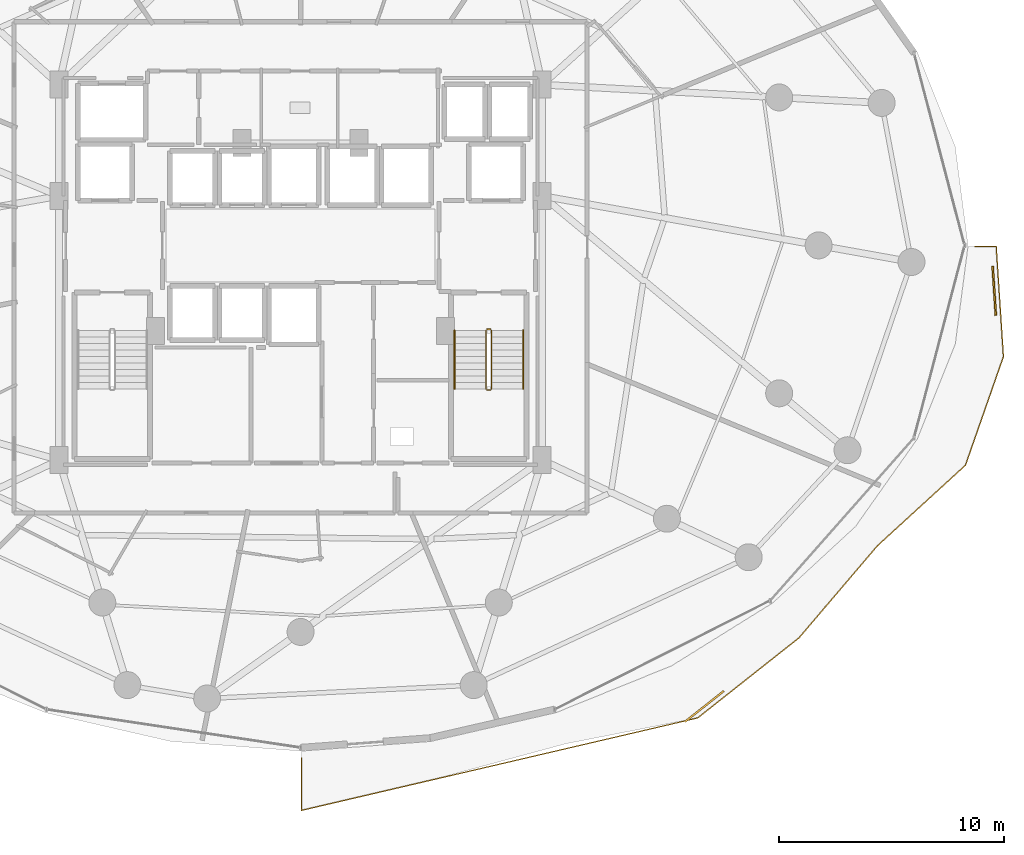
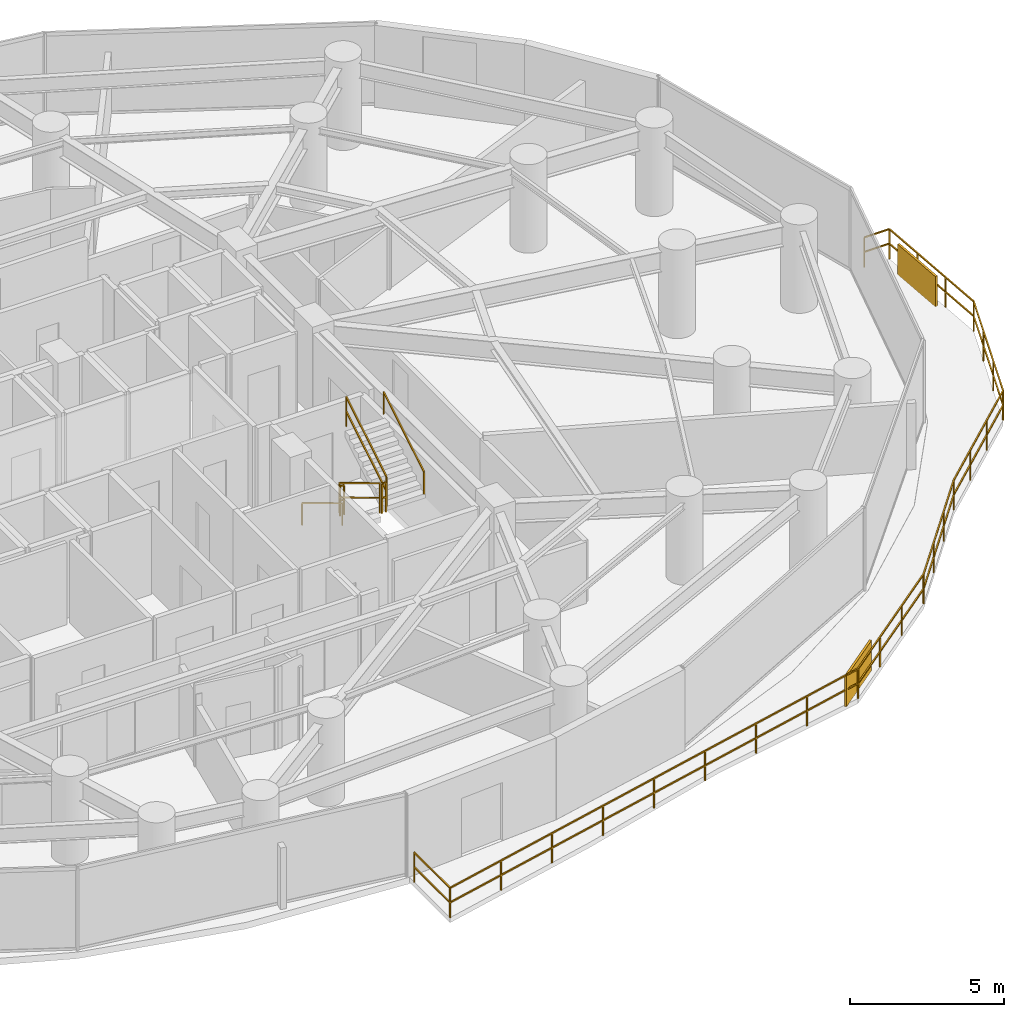
# One storey, part 33 of 35: 8 railings, 2 shading devices.
"""IFC4 building model written with IfcOpenShell, lengths in metres."""

import ifcopenshell
import ifcopenshell.guid

model = None  # the IFC model being written
_history = None  # IfcOwnerHistory: only IFC2X3 demands one
_inside = {}  # id of a spatial element -> (the spatial element, [elements in it])
_under = {}  # id of a project, library or spatial element -> (it, [spatial elements below it])
_declared = {}  # id of a project -> (the project, [libraries it declares])
_typed = {}  # id of a type object -> (the type object, [elements of that type])
_made_of = {}  # id of a material, layer set ... -> (it, [elements and type objects made of it])


def new_model(schema):
    """Start an empty IFC model of exactly this schema.

    Asked for "IFC4X3", IfcOpenShell would pick the latest addendum, in which some entities
    have other attributes; the version numbers below select the first issue.
    IFC2X3 requires an IfcOwnerHistory on every rooted entity: one is made here for all.
    """
    global model, _history
    if schema == "IFC4X3":
        model = ifcopenshell.file(schema_version=(4, 3, 0, 0))
    else:
        model = ifcopenshell.file(schema=schema)
    _inside.clear()
    _under.clear()
    _declared.clear()
    _typed.clear()
    _made_of.clear()
    _history = None
    if model.schema == "IFC2X3":
        org = make("IfcOrganization", Name="unknown")
        user = make(
            "IfcPersonAndOrganization",
            ThePerson=make("IfcPerson", FamilyName="unknown"),
            TheOrganization=org,
        )
        app = make(
            "IfcApplication",
            ApplicationDeveloper=org,
            Version="unknown",
            ApplicationFullName="unknown",
            ApplicationIdentifier="unknown",
        )
        _history = make(
            "IfcOwnerHistory",
            OwningUser=user,
            OwningApplication=app,
            ChangeAction="ADDED",
            CreationDate=0,
        )
    return model


def make(cls, **values):
    """One entity of the class cls with the attributes given. An attribute that is None is left unset."""
    return model.create_entity(
        cls, **{name: value for name, value in values.items() if value is not None}
    )


def rooted(cls, **values):
    """An entity with a GlobalId (a new one), such as an element, a storey or a relation."""
    return make(cls, GlobalId=ifcopenshell.guid.new(), OwnerHistory=_history, **values)


def si_unit(unit_type, name, prefix=None):
    """IfcSIUnit, for example si_unit("LENGTHUNIT", "METRE", prefix="MILLI")."""
    return make("IfcSIUnit", UnitType=unit_type, Prefix=prefix, Name=name)


def assignment(units):
    """IfcUnitAssignment: the units of a project."""
    return None if units is None else make("IfcUnitAssignment", Units=units)


def point(xyz):
    """IfcCartesianPoint."""
    return None if xyz is None else make("IfcCartesianPoint", Coordinates=xyz)


def direction(xyz):
    """IfcDirection."""
    return None if xyz is None else make("IfcDirection", DirectionRatios=xyz)


def frame(location, z_axis=None, x_axis=None):
    """IfcAxis2Placement3D, a coordinate frame: its origin and axes. An axis left out is left unset."""
    return make(
        "IfcAxis2Placement3D",
        Location=point(location),
        Axis=direction(z_axis),
        RefDirection=direction(x_axis),
    )


def frame_2d(location, x_axis=None):
    """IfcAxis2Placement2D, a coordinate frame in the plane: its origin and x axis."""
    return make(
        "IfcAxis2Placement2D", Location=point(location), RefDirection=direction(x_axis)
    )


def origin():
    """The frame at (0, 0, 0) with its axes left unset."""
    return frame((0.0, 0.0, 0.0))


def origin_2d():
    """The frame at (0, 0) in the plane with its x axis left unset."""
    return frame_2d((0.0, 0.0))


def place(relative_to, where):
    """IfcLocalPlacement: puts the frame where relative to a parent placement (None: the world)."""
    return make(
        "IfcLocalPlacement", PlacementRelTo=relative_to, RelativePlacement=where
    )


def context(
    kind, dimensions, precision=None, world=None, true_north=None, identifier=None
):
    """IfcGeometricRepresentationContext, for example the 3D "Model" context."""
    return make(
        "IfcGeometricRepresentationContext",
        ContextIdentifier=identifier,
        ContextType=kind,
        CoordinateSpaceDimension=dimensions,
        Precision=precision,
        WorldCoordinateSystem=world,
        TrueNorth=true_north,
    )


def subcontext(parent, identifier, kind, view, scale=None):
    """IfcGeometricRepresentationSubContext, for example "Body" below "Model"."""
    return make(
        "IfcGeometricRepresentationSubContext",
        ContextIdentifier=identifier,
        ContextType=kind,
        ParentContext=parent,
        TargetScale=scale,
        TargetView=view,
    )


def project(units=None, contexts=None):
    """IfcProject with its units and contexts."""
    return rooted(
        "IfcProject",
        Name="project",
        RepresentationContexts=contexts,
        UnitsInContext=assignment(units),
    )


def spatial(cls, under=None, at=None, **own):
    """A site, building, storey or space (cls), placed at a placement, below another one or the project."""
    s = rooted(cls, ObjectPlacement=at, **own)
    if under is not None:
        _under.setdefault(under.id(), (under, []))[1].append(s)
    return s


def profile(cls, at=None, kind="AREA", **sizes):
    """A parametric profile (cls). Its sizes go by their IFC names, for example OverallWidth=200.0."""
    return make(cls, ProfileType=kind, Position=at, **sizes)


def rectangle(**sizes):
    """IfcRectangleProfileDef."""
    return profile("IfcRectangleProfileDef", **sizes)


def extrude(swept, where, along, depth):
    """IfcExtrudedAreaSolid: the profile swept, set in the frame where, extruded along a direction by depth."""
    return make(
        "IfcExtrudedAreaSolid",
        SweptArea=swept,
        Position=where,
        ExtrudedDirection=direction(along),
        Depth=depth,
    )


def shape(context_of_items, identifier, shape_type, items):
    """IfcShapeRepresentation: the items that make up one representation, for example the "Body"."""
    return make(
        "IfcShapeRepresentation",
        ContextOfItems=context_of_items,
        RepresentationIdentifier=identifier,
        RepresentationType=shape_type,
        Items=items,
    )


def material(Name=None, Category=None):
    """IfcMaterial."""
    return make("IfcMaterial", Name=Name, Category=Category)


def made_of(thing, what):
    """Note that an element or type object is made of a material, layer set ...; save() writes the relation."""
    if what is not None:
        _made_of.setdefault(what.id(), (what, []))[1].append(thing)
    return thing


def type_object(cls, material=None, **own):
    """A type object (cls), such as IfcWallType, which elements share."""
    return made_of(rooted(cls, **own), material)


def element(
    cls,
    number,
    at=None,
    inside=None,
    cuts=None,
    type_object=None,
    material=None,
    context=None,
    identifier="Body",
    shape_type=None,
    held_by="IfcProductDefinitionShape",
    body=None,
    shapes=None,
    **own,
):
    """One element of the class cls, such as IfcWall. Its Tag is "e" and its number.

    at: its placement. inside: the storey or other place that contains it. cuts: it is an
    opening in that element (IfcRelVoidsElement). A single representation is given by context,
    identifier, shape_type and body (its items); several are given by shapes. held_by: the class
    of the entity that holds the representations. save() writes the other relations.
    """
    e = rooted(cls, Tag="e%d" % number, ObjectPlacement=at, **own)
    if body is not None:
        shapes = [shape(context, identifier, shape_type, body)]
    if shapes is not None:
        e.Representation = make(held_by, Representations=shapes)
    if inside is not None:
        _inside.setdefault(inside.id(), (inside, []))[1].append(e)
    if cuts is not None:
        rooted(
            "IfcRelVoidsElement", RelatingBuildingElement=cuts, RelatedOpeningElement=e
        )
    if type_object is not None:
        _typed.setdefault(type_object.id(), (type_object, []))[1].append(e)
    return made_of(e, material)


def aggregate(whole, parts):
    """IfcRelAggregates: a whole, such as a stair, and the parts it consists of."""
    return rooted("IfcRelAggregates", RelatingObject=whole, RelatedObjects=parts)


def save(model, path):
    """Write the relations noted so far, then the file.

    IfcRelAggregates (storeys below a building ...), IfcRelContainedInSpatialStructure (elements
    in a storey), IfcRelDefinesByType, IfcRelAssociatesMaterial and IfcRelDeclares: one each for
    every whole, place, type object, material and project.
    """
    for whole, parts in _under.values():
        aggregate(whole, parts)
    for where, things in _inside.values():
        rooted(
            "IfcRelContainedInSpatialStructure",
            RelatedElements=things,
            RelatingStructure=where,
        )
    for kind, things in _typed.values():
        rooted("IfcRelDefinesByType", RelatedObjects=things, RelatingType=kind)
    for what, things in _made_of.values():
        rooted("IfcRelAssociatesMaterial", RelatedObjects=things, RelatingMaterial=what)
    for by, libraries in _declared.values():
        rooted("IfcRelDeclares", RelatingContext=by, RelatedDefinitions=libraries)
    model.write(path)


model = new_model("IFC4")

# Units and contexts
model_context = context("Model", 3, precision=1e-05, world=origin(), true_north=direction((0.0, 1.0)))
body_context = subcontext(model_context, "Body", "Model", "MODEL_VIEW")
ifc_project = project(units=[si_unit("LENGTHUNIT", "METRE"), si_unit("AREAUNIT", "SQUARE_METRE"), si_unit("VOLUMEUNIT", "CUBIC_METRE"), si_unit("PLANEANGLEUNIT", "RADIAN"), si_unit("MASSUNIT", "GRAM", prefix="KILO")], contexts=[model_context])

# Site, building, storey
site_placement = place(None, origin())
site = spatial("IfcSite", under=ifc_project, at=site_placement, CompositionType="ELEMENT")
building_placement = place(site_placement, origin())
building = spatial("IfcBuilding", under=site, at=building_placement, Name="Vorneva Point Tower", CompositionType="ELEMENT")
storey_placement = place(building_placement, frame((0.0, 0.0, 48.5)))
storey = spatial("IfcBuildingStorey", under=building, at=storey_placement, Name="L12", CompositionType="ELEMENT", Elevation=48.5)

# Railings
ifc_material_1 = material(Name="Pale anodised aluminium", Category="aluminium")
railing_type_1 = type_object("IfcRailingType", Name="RL-BAL-1200", PredefinedType="BALUSTRADE", material=ifc_material_1)
railing_1_placement = place(storey_placement, frame((69.2744140625, 21.047119140625, 0.0)))
element("IfcRailing", 1, at=railing_1_placement, inside=storey, type_object=railing_type_1, Name="L12 Wave Balcony Balustrade SE.1", PredefinedType="BALUSTRADE", context=body_context, shape_type="SweptSolid", body=[
    extrude(rectangle(XDim=0.048095703125, YDim=0.048095703125, at=origin_2d()), frame((0.0, 0.0, 1.17578125), z_axis=(-0.065341588771, 0.997862954908, 0.0), x_axis=(-0.997862954908, -0.065341588771, 0.0)), (0.0, 0.0, 1.0), 4.913330078125),
    extrude(rectangle(XDim=0.048095703125, YDim=0.048095703125, at=origin_2d()), frame((0.0, 0.0, 0.60009765625), z_axis=(-0.065341588771, 0.997862954908, 0.0), x_axis=(-0.997862954908, -0.065341588771, 0.0)), (0.0, 0.0, 1.0), 4.913330078125),
    extrude(rectangle(XDim=0.048095703125, YDim=0.048095703125, at=origin_2d()), frame((-0.321044921875, 4.90283203125, 1.17578125), z_axis=(-1.0, 0.0, 0.0), x_axis=(0.0, -1.0, 0.0)), (0.0, 0.0, 1.0), 0.937255859375),
    extrude(rectangle(XDim=0.048095703125, YDim=0.048095703125, at=origin_2d()), frame((-0.321044921875, 4.90283203125, 0.60009765625), z_axis=(-1.0, 0.0, 0.0), x_axis=(0.0, -1.0, 0.0)), (0.0, 0.0, 1.0), 0.937255859375),
    extrude(rectangle(XDim=0.0419921875, YDim=0.0419921875, at=origin_2d()), origin(), (0.0, 0.0, 1.0), 1.15185546875),
    extrude(rectangle(XDim=0.0419921875, YDim=0.0419921875, at=origin_2d()), frame((-0.10693359375, 1.63427734375, 0.0)), (0.0, 0.0, 1.0), 1.15185546875),
    extrude(rectangle(XDim=0.0419921875, YDim=0.0419921875, at=origin_2d()), frame((-0.214111328125, 3.2685546875, 0.0)), (0.0, 0.0, 1.0), 1.15185546875),
    extrude(rectangle(XDim=0.0419921875, YDim=0.0419921875, at=origin_2d()), frame((-0.321044921875, 4.90283203125, 0.0)), (0.0, 0.0, 1.0), 1.15185546875),
    extrude(rectangle(XDim=0.0419921875, YDim=0.0419921875, at=origin_2d()), frame((-1.25830078125, 4.90283203125, 0.0)), (0.0, 0.0, 1.0), 1.15185546875),
])
railing_2_placement = place(storey_placement, frame((38.050048828125, 3.182861328125, 0.0)))
element("IfcRailing", 2, at=railing_2_placement, inside=storey, type_object=railing_type_1, Name="L12 Wave Balcony Balustrade SE.2", PredefinedType="BALUSTRADE", context=body_context, shape_type="SweptSolid", body=[
    extrude(rectangle(XDim=0.048095703125, YDim=0.048095703125, at=origin_2d()), frame((0.0, 0.0, 1.17578125), z_axis=(0.0, -1.0, 0.0), x_axis=(1.0, 0.0, 0.0)), (0.0, 0.0, 1.0), 2.321044921875),
    extrude(rectangle(XDim=0.048095703125, YDim=0.048095703125, at=origin_2d()), frame((0.0, 0.0, 0.60009765625), z_axis=(0.0, -1.0, 0.0), x_axis=(1.0, 0.0, 0.0)), (0.0, 0.0, 1.0), 2.321044921875),
    extrude(rectangle(XDim=0.048095703125, YDim=0.048095703125, at=origin_2d()), frame((0.0, -2.321044921875, 1.17578125), z_axis=(0.973826081871, 0.22729443959, 0.0), x_axis=(-0.22729443959, 0.973826081871, 0.0)), (0.0, 0.0, 1.0), 18.0966796875),
    extrude(rectangle(XDim=0.048095703125, YDim=0.048095703125, at=origin_2d()), frame((0.0, -2.321044921875, 0.60009765625), z_axis=(0.973826081871, 0.22729443959, 0.0), x_axis=(-0.22729443959, 0.973826081871, 0.0)), (0.0, 0.0, 1.0), 18.0966796875),
    extrude(rectangle(XDim=0.048095703125, YDim=0.048095703125, at=origin_2d()), frame((17.623046875, 1.792236328125, 1.17578125), z_axis=(0.784567085049, 0.620043941232, 0.0), x_axis=(-0.620043941232, 0.784567085049, 0.0)), (0.0, 0.0, 1.0), 5.742919921875),
    extrude(rectangle(XDim=0.048095703125, YDim=0.048095703125, at=origin_2d()), frame((17.623046875, 1.792236328125, 0.60009765625), z_axis=(0.784567085049, 0.620043941232, 0.0), x_axis=(-0.620043941232, 0.784567085049, 0.0)), (0.0, 0.0, 1.0), 5.742919921875),
    extrude(rectangle(XDim=0.048095703125, YDim=0.048095703125, at=origin_2d()), frame((22.128662109375, 5.35302734375, 1.17578125), z_axis=(0.648388648696, 0.761309503581, 0.0), x_axis=(-0.761309503581, 0.648388648696, 0.0)), (0.0, 0.0, 1.0), 5.387939453125),
    extrude(rectangle(XDim=0.048095703125, YDim=0.048095703125, at=origin_2d()), frame((22.128662109375, 5.35302734375, 0.60009765625), z_axis=(0.648388648696, 0.761309503581, 0.0), x_axis=(-0.761309503581, 0.648388648696, 0.0)), (0.0, 0.0, 1.0), 5.387939453125),
    extrude(rectangle(XDim=0.048095703125, YDim=0.048095703125, at=origin_2d()), frame((25.6220703125, 9.454833984375, 1.17578125), z_axis=(0.737832245033, 0.674984131806, 0.0), x_axis=(-0.674984131806, 0.737832245033, 0.0)), (0.0, 0.0, 1.0), 5.302490234375),
    extrude(rectangle(XDim=0.048095703125, YDim=0.048095703125, at=origin_2d()), frame((25.6220703125, 9.454833984375, 0.60009765625), z_axis=(0.737832245033, 0.674984131806, 0.0), x_axis=(-0.674984131806, 0.737832245033, 0.0)), (0.0, 0.0, 1.0), 5.302490234375),
    extrude(rectangle(XDim=0.048095703125, YDim=0.048095703125, at=origin_2d()), frame((29.534423828125, 13.033935546875, 1.17578125), z_axis=(0.330233543344, 0.943899256727, 0.0), x_axis=(-0.943899256727, 0.330233543344, 0.0)), (0.0, 0.0, 1.0), 5.117431640625),
    extrude(rectangle(XDim=0.048095703125, YDim=0.048095703125, at=origin_2d()), frame((29.534423828125, 13.033935546875, 0.60009765625), z_axis=(0.330233543344, 0.943899256727, 0.0), x_axis=(-0.943899256727, 0.330233543344, 0.0)), (0.0, 0.0, 1.0), 5.117431640625),
    extrude(rectangle(XDim=0.0419921875, YDim=0.0419921875, at=origin_2d()), origin(), (0.0, 0.0, 1.0), 1.15185546875),
    extrude(rectangle(XDim=0.0419921875, YDim=0.0419921875, at=origin_2d()), frame((0.0, -2.321044921875, 0.0)), (0.0, 0.0, 1.0), 1.15185546875),
    extrude(rectangle(XDim=0.0419921875, YDim=0.0419921875, at=origin_2d()), frame((2.202880859375, -1.806884765625, 0.0)), (0.0, 0.0, 1.0), 1.15185546875),
    extrude(rectangle(XDim=0.0419921875, YDim=0.0419921875, at=origin_2d()), frame((4.40576171875, -1.292724609375, 0.0)), (0.0, 0.0, 1.0), 1.15185546875),
    extrude(rectangle(XDim=0.0419921875, YDim=0.0419921875, at=origin_2d()), frame((6.608642578125, -0.778564453125, 0.0)), (0.0, 0.0, 1.0), 1.15185546875),
    extrude(rectangle(XDim=0.0419921875, YDim=0.0419921875, at=origin_2d()), frame((8.8115234375, -0.264404296875, 0.0)), (0.0, 0.0, 1.0), 1.15185546875),
    extrude(rectangle(XDim=0.0419921875, YDim=0.0419921875, at=origin_2d()), frame((11.014404296875, 0.249755859375, 0.0)), (0.0, 0.0, 1.0), 1.15185546875),
    extrude(rectangle(XDim=0.0419921875, YDim=0.0419921875, at=origin_2d()), frame((13.21728515625, 0.763916015625, 0.0)), (0.0, 0.0, 1.0), 1.15185546875),
    extrude(rectangle(XDim=0.0419921875, YDim=0.0419921875, at=origin_2d()), frame((15.420166015625, 1.278076171875, 0.0)), (0.0, 0.0, 1.0), 1.15185546875),
    extrude(rectangle(XDim=0.0419921875, YDim=0.0419921875, at=origin_2d()), frame((17.623046875, 1.792236328125, 0.0)), (0.0, 0.0, 1.0), 1.15185546875),
    extrude(rectangle(XDim=0.0419921875, YDim=0.0419921875, at=origin_2d()), frame((19.125, 2.979248046875, 0.0)), (0.0, 0.0, 1.0), 1.15185546875),
    extrude(rectangle(XDim=0.0419921875, YDim=0.0419921875, at=origin_2d()), frame((20.626708984375, 4.166015625, 0.0)), (0.0, 0.0, 1.0), 1.15185546875),
    extrude(rectangle(XDim=0.0419921875, YDim=0.0419921875, at=origin_2d()), frame((22.128662109375, 5.35302734375, 0.0)), (0.0, 0.0, 1.0), 1.15185546875),
    extrude(rectangle(XDim=0.0419921875, YDim=0.0419921875, at=origin_2d()), frame((23.293212890625, 6.72021484375, 0.0)), (0.0, 0.0, 1.0), 1.15185546875),
    extrude(rectangle(XDim=0.0419921875, YDim=0.0419921875, at=origin_2d()), frame((24.45751953125, 8.087646484375, 0.0)), (0.0, 0.0, 1.0), 1.15185546875),
    extrude(rectangle(XDim=0.0419921875, YDim=0.0419921875, at=origin_2d()), frame((25.6220703125, 9.454833984375, 0.0)), (0.0, 0.0, 1.0), 1.15185546875),
    extrude(rectangle(XDim=0.0419921875, YDim=0.0419921875, at=origin_2d()), frame((26.92626953125, 10.64794921875, 0.0)), (0.0, 0.0, 1.0), 1.15185546875),
    extrude(rectangle(XDim=0.0419921875, YDim=0.0419921875, at=origin_2d()), frame((28.230224609375, 11.8408203125, 0.0)), (0.0, 0.0, 1.0), 1.15185546875),
    extrude(rectangle(XDim=0.0419921875, YDim=0.0419921875, at=origin_2d()), frame((29.534423828125, 13.033935546875, 0.0)), (0.0, 0.0, 1.0), 1.15185546875),
    extrude(rectangle(XDim=0.0419921875, YDim=0.0419921875, at=origin_2d()), frame((30.09765625, 14.64404296875, 0.0)), (0.0, 0.0, 1.0), 1.15185546875),
    extrude(rectangle(XDim=0.0419921875, YDim=0.0419921875, at=origin_2d()), frame((30.6611328125, 16.254150390625, 0.0)), (0.0, 0.0, 1.0), 1.15185546875),
    extrude(rectangle(XDim=0.0419921875, YDim=0.0419921875, at=origin_2d()), frame((31.224365234375, 17.8642578125, 0.0)), (0.0, 0.0, 1.0), 1.15185546875),
])
ifc_material_2 = material(Name="Brushed stainless steel S304", Category="steel")
railing_type_2 = type_object("IfcRailingType", Name="RL-HND-920", PredefinedType="HANDRAIL", material=ifc_material_2)
railing_3_placement = place(storey_placement, frame((44.85009765625, 22.219970703125, 0.175048828125)))
element("IfcRailing", 3, at=railing_3_placement, inside=storey, type_object=railing_type_2, Name="L12 ST2 stair handrail 1", PredefinedType="HANDRAIL", context=body_context, shape_type="SweptSolid", body=[
    extrude(rectangle(XDim=0.048095703125, YDim=0.048095703125, at=origin_2d()), frame((0.0, 0.0, 0.8759765625), z_axis=(0.0, -0.85618277418, 0.516673066065), x_axis=(1.0, 0.0, 0.0)), (0.0, 0.0, 1.0), 3.04833984375),
    extrude(rectangle(XDim=0.0419921875, YDim=0.0419921875, at=origin_2d()), origin(), (0.0, 0.0, 1.0), 0.851806640625),
    extrude(rectangle(XDim=0.0419921875, YDim=0.0419921875, at=origin_2d()), frame((0.0, -2.60986328125, 1.574951171875)), (0.0, 0.0, 1.0), 0.851806640625),
])
railing_4_placement = place(storey_placement, frame((47.89990234375, 19.610107421875, 1.925048828125)))
element("IfcRailing", 4, at=railing_4_placement, inside=storey, type_object=railing_type_2, Name="L12 ST2 stair handrail 2", PredefinedType="HANDRAIL", context=body_context, shape_type="SweptSolid", body=[
    extrude(rectangle(XDim=0.048095703125, YDim=0.048095703125, at=origin_2d()), frame((0.0, 0.0, 0.8759765625), z_axis=(0.0, 0.85618277418, 0.516673066065), x_axis=(-1.0, 0.0, 0.0)), (0.0, 0.0, 1.0), 3.04833984375),
    extrude(rectangle(XDim=0.0419921875, YDim=0.0419921875, at=origin_2d()), origin(), (0.0, 0.0, 1.0), 0.851806640625),
    extrude(rectangle(XDim=0.0419921875, YDim=0.0419921875, at=origin_2d()), frame((0.0, 2.60986328125, 1.574951171875)), (0.0, 0.0, 1.0), 0.851806640625),
])
railing_type_3 = type_object("IfcRailingType", Name="RL-STG-1100", PredefinedType="GUARDRAIL", material=ifc_material_2)
railing_5_placement = place(storey_placement, frame((46.25, 22.219970703125, 0.175048828125)))
element("IfcRailing", 5, at=railing_5_placement, inside=storey, type_object=railing_type_3, Name="L12 ST2 stair guard 1", PredefinedType="GUARDRAIL", context=body_context, shape_type="SweptSolid", body=[
    extrude(rectangle(XDim=0.048095703125, YDim=0.048095703125, at=origin_2d()), frame((0.0, 0.0, 1.17578125), z_axis=(0.0, -0.85618277418, 0.516673066065), x_axis=(1.0, 0.0, 0.0)), (0.0, 0.0, 1.0), 3.04833984375),
    extrude(rectangle(XDim=0.048095703125, YDim=0.048095703125, at=origin_2d()), frame((0.0, 0.0, 0.60009765625), z_axis=(0.0, -0.85618277418, 0.516673066065), x_axis=(1.0, 0.0, 0.0)), (0.0, 0.0, 1.0), 3.04833984375),
    extrude(rectangle(XDim=0.0419921875, YDim=0.0419921875, at=origin_2d()), origin(), (0.0, 0.0, 1.0), 1.15185546875),
    extrude(rectangle(XDim=0.0419921875, YDim=0.0419921875, at=origin_2d()), frame((0.0, -2.60986328125, 1.574951171875)), (0.0, 0.0, 1.0), 1.15185546875),
])
railing_6_placement = place(storey_placement, frame((46.300048828125, 19.56005859375, 1.75)))
element("IfcRailing", 6, at=railing_6_placement, inside=storey, type_object=railing_type_3, Name="L12 ST2 stair guard 2", PredefinedType="GUARDRAIL", context=body_context, shape_type="SweptSolid", body=[
    extrude(rectangle(XDim=0.048095703125, YDim=0.048095703125, at=origin_2d()), frame((0.0, 0.0, 1.17578125), z_axis=(1.0, 0.0, 0.0), x_axis=(0.0, 1.0, 0.0)), (0.0, 0.0, 1.0), 0.14990234375),
    extrude(rectangle(XDim=0.048095703125, YDim=0.048095703125, at=origin_2d()), frame((0.0, 0.0, 0.60009765625), z_axis=(1.0, 0.0, 0.0), x_axis=(0.0, 1.0, 0.0)), (0.0, 0.0, 1.0), 0.14990234375),
    extrude(rectangle(XDim=0.0419921875, YDim=0.0419921875, at=origin_2d()), origin(), (0.0, 0.0, 1.0), 1.15185546875),
    extrude(rectangle(XDim=0.0419921875, YDim=0.0419921875, at=origin_2d()), frame((0.14990234375, 0.0, 0.0)), (0.0, 0.0, 1.0), 1.15185546875),
])
railing_7_placement = place(storey_placement, frame((46.5, 19.610107421875, 1.925048828125)))
element("IfcRailing", 7, at=railing_7_placement, inside=storey, type_object=railing_type_3, Name="L12 ST2 stair guard 3", PredefinedType="GUARDRAIL", context=body_context, shape_type="SweptSolid", body=[
    extrude(rectangle(XDim=0.048095703125, YDim=0.048095703125, at=origin_2d()), frame((0.0, 0.0, 1.17578125), z_axis=(0.0, 0.85618277418, 0.516673066065), x_axis=(-1.0, 0.0, 0.0)), (0.0, 0.0, 1.0), 3.04833984375),
    extrude(rectangle(XDim=0.048095703125, YDim=0.048095703125, at=origin_2d()), frame((0.0, 0.0, 0.60009765625), z_axis=(0.0, 0.85618277418, 0.516673066065), x_axis=(-1.0, 0.0, 0.0)), (0.0, 0.0, 1.0), 3.04833984375),
    extrude(rectangle(XDim=0.0419921875, YDim=0.0419921875, at=origin_2d()), origin(), (0.0, 0.0, 1.0), 1.15185546875),
    extrude(rectangle(XDim=0.0419921875, YDim=0.0419921875, at=origin_2d()), frame((0.0, 2.60986328125, 1.574951171875)), (0.0, 0.0, 1.0), 1.15185546875),
])
railing_8_placement = place(storey_placement, frame((46.300048828125, 22.27001953125, 0.0)))
element("IfcRailing", 8, at=railing_8_placement, inside=storey, type_object=railing_type_3, Name="L12 ST2 stair guard 4", PredefinedType="GUARDRAIL", context=body_context, shape_type="SweptSolid", body=[
    extrude(rectangle(XDim=0.048095703125, YDim=0.048095703125, at=origin_2d()), frame((0.0, 0.0, 1.17578125), z_axis=(1.0, 0.0, 0.0), x_axis=(0.0, 1.0, 0.0)), (0.0, 0.0, 1.0), 0.14990234375),
    extrude(rectangle(XDim=0.048095703125, YDim=0.048095703125, at=origin_2d()), frame((0.0, 0.0, 0.60009765625), z_axis=(1.0, 0.0, 0.0), x_axis=(0.0, 1.0, 0.0)), (0.0, 0.0, 1.0), 0.14990234375),
    extrude(rectangle(XDim=0.0419921875, YDim=0.0419921875, at=origin_2d()), origin(), (0.0, 0.0, 1.0), 1.15185546875),
    extrude(rectangle(XDim=0.0419921875, YDim=0.0419921875, at=origin_2d()), frame((0.14990234375, 0.0, 0.0)), (0.0, 0.0, 1.0), 1.15185546875),
])

# Shading devices
shading_device_type = type_object("IfcShadingDeviceType", Name="SHD-JAL-1200", PredefinedType="JALOUSIE", material=ifc_material_1)
for number, where, z_axis, x_axis, name in (
    (9, (68.86376953125, 23.98046875, -0.02001953125), (0.0, 0.0, 1.0), (-0.065368297343, 0.997861205631, 0.0), "L12 Balcony Vertical-Greenery Planter Screen SE.1"),
    (10, (55.969482421875, 5.489501953125, -0.02001953125), (0.0, 0.0, 1.0), (0.784559979031, 0.620052932662, 0.0), "L12 Balcony Vertical-Greenery Planter Screen SE.2"),
):
    element("IfcShadingDevice", number, at=place(storey_placement, frame(where, z_axis=z_axis, x_axis=x_axis)), inside=storey, type_object=shading_device_type, Name=name, PredefinedType="JALOUSIE", context=body_context, shape_type="SweptSolid", body=[
        extrude(rectangle(XDim=2.199951171875, YDim=0.080078125, at=origin_2d()), origin(), (0.0, 0.0, 1.0), 1.199951171875),
    ])

save(model, "model.ifc")
